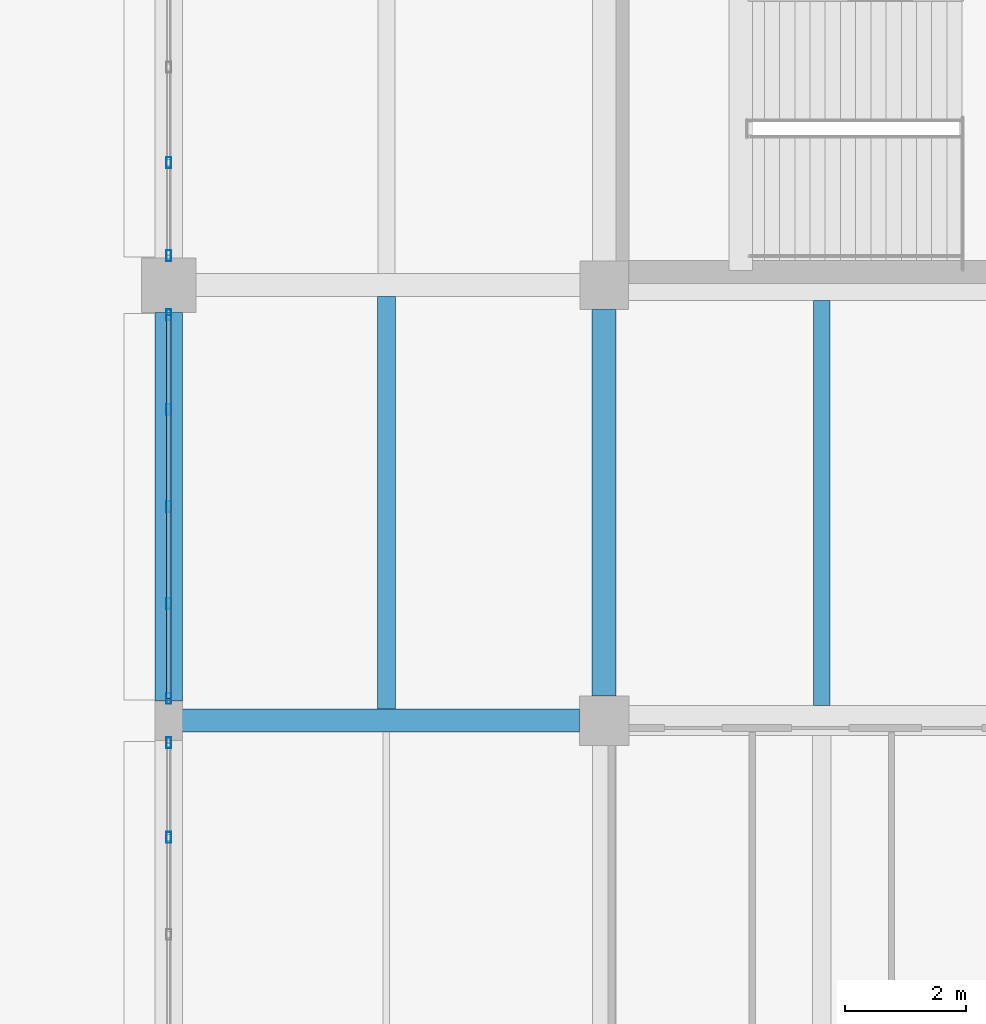
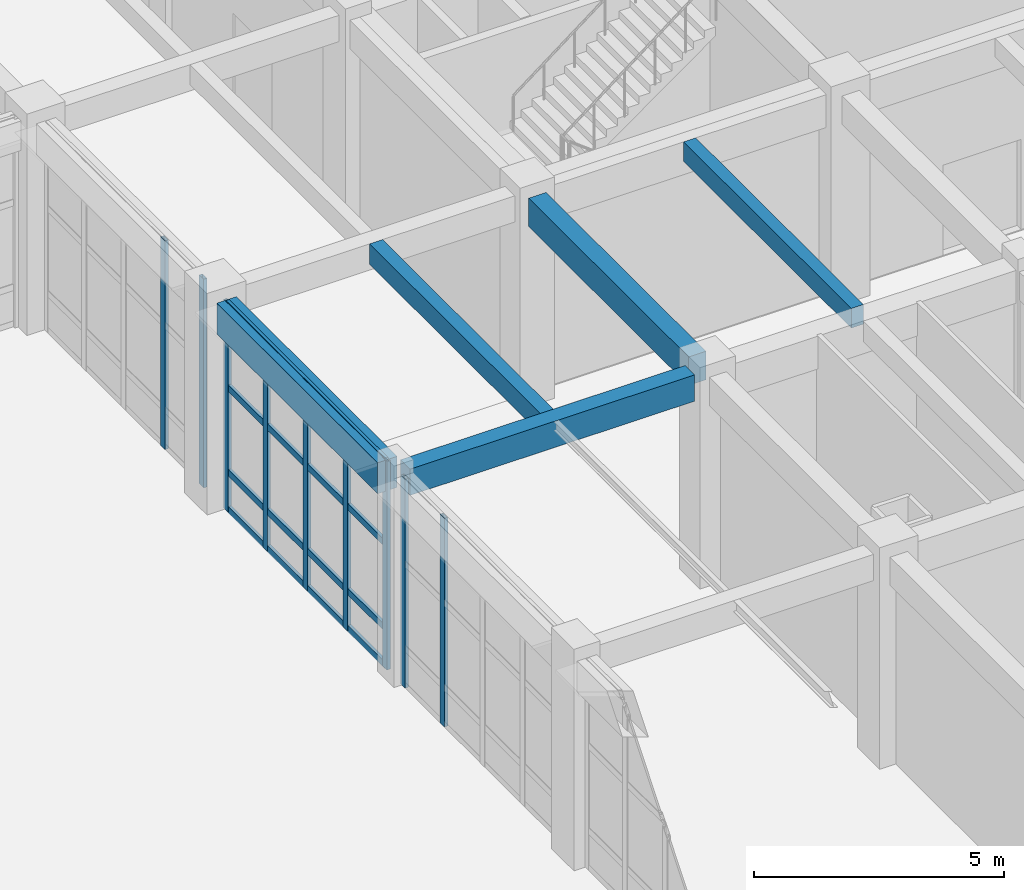
# One storey, part 99 of 160: 13 members, 5 beams, 3 elements without a shape of their own.
"""IFC4 building model written with IfcOpenShell, lengths in metres."""

from ifc_helpers import new_model, si_unit, direction, frame, origin, origin_2d, place, context, subcontext, project, spatial, rectangle, hollow_rectangle, extrude, material, material_profile, profile_set, type_object, element, aggregate, save


model = new_model("IFC4")

# Units and contexts
model_context = context("Model", 3, precision=1e-05, world=origin(), true_north=direction((0.0, 1.0)))
body_context = subcontext(model_context, "Body", "Model", "MODEL_VIEW")
ifc_project = project(units=[si_unit("LENGTHUNIT", "METRE"), si_unit("AREAUNIT", "SQUARE_METRE"), si_unit("VOLUMEUNIT", "CUBIC_METRE"), si_unit("PLANEANGLEUNIT", "RADIAN"), si_unit("MASSUNIT", "GRAM", prefix="KILO")], contexts=[model_context])

# Site, building, storey
site_placement = place(None, origin())
site = spatial("IfcSite", under=ifc_project, at=site_placement, CompositionType="ELEMENT")
building_placement = place(site_placement, origin())
building = spatial("IfcBuilding", under=site, at=building_placement, Name="Thalmaran Polytechnic", CompositionType="ELEMENT")
storey_placement = place(building_placement, origin())
storey = spatial("IfcBuildingStorey", under=building, at=storey_placement, Name="L00", CompositionType="ELEMENT", Elevation=0.0)

# Beams
ifc_material_1 = material(Name="Concrete C40/50", Category="concrete")
ifc_material_profile_1 = material_profile(ifc_material_1, rectangle(XDim=0.300048828125, YDim=0.5, at=origin_2d()), Name="RC 300x500")
ifc_profile_set_1 = profile_set([ifc_material_profile_1], Name="Concrete C40/50")
beam_type_1 = type_object("IfcBeamType", Name="BM-RC11", PredefinedType="JOIST", material=ifc_profile_set_1)
beam_1_placement = place(storey_placement, frame((133.199951171875, 79.389892578125, 4.840087890625), z_axis=(0.0, 1.0, 0.0), x_axis=(-1.0, 0.0, 0.0)))
element("IfcBeam", 1, at=beam_1_placement, inside=storey, type_object=beam_type_1, Name="Secondary Floor Rib RB01 L00 (18,11)", PredefinedType="JOIST", context=body_context, shape_type="SweptSolid", body=[
    extrude(rectangle(XDim=0.300048828125, YDim=0.5, at=origin_2d()), origin(), (0.0, 0.0, 1.0), 6.820068359375),
])
ifc_material_profile_2 = material_profile(ifc_material_1, rectangle(XDim=0.449951171875, YDim=0.7548828125, at=origin_2d()), Name="RC 450x755")
ifc_profile_set_2 = profile_set([ifc_material_profile_2], Name="Concrete C40/50")
beam_type_2 = type_object("IfcBeamType", Name="BM-SP02", PredefinedType="SPANDREL", material=ifc_profile_set_2)
beam_2_placement = place(storey_placement, frame((129.60009765625, 79.52490234375, 4.71240234375), z_axis=(0.0, 1.0, 0.0), x_axis=(-1.0, 0.0, 0.0)))
element("IfcBeam", 2, at=beam_2_placement, inside=storey, type_object=beam_type_2, Name="Grid Beam SP02 L00 Y(18,11)", PredefinedType="SPANDREL", context=body_context, shape_type="SweptSolid", body=[
    extrude(rectangle(XDim=0.449951171875, YDim=0.7548828125, at=origin_2d()), origin(), (0.0, 0.0, 1.0), 6.425048828125),
])
ifc_material_profile_3 = material_profile(ifc_material_1, rectangle(XDim=0.3798828125, YDim=0.639892578125, at=origin_2d()), Name="RC 380x640")
ifc_profile_set_3 = profile_set([ifc_material_profile_3], Name="Concrete C40/50")
beam_type_3 = type_object("IfcBeamType", Name="BM-ZB05", PredefinedType="BEAM", material=ifc_profile_set_3)
beam_3_placement = place(storey_placement, frame((129.824951171875, 79.199951171875, 4.77001953125), z_axis=(1.0, 0.0, 0.0), x_axis=(0.0, 1.0, 0.0)))
element("IfcBeam", 3, at=beam_3_placement, inside=storey, type_object=beam_type_3, Name="Grid Beam ZB05 L00 X(18,11)", PredefinedType="BEAM", context=body_context, shape_type="SweptSolid", body=[
    extrude(rectangle(XDim=0.3798828125, YDim=0.639892578125, at=origin_2d()), origin(), (0.0, 0.0, 1.0), 6.56494140625),
])
ifc_material_profile_4 = material_profile(ifc_material_1, rectangle(XDim=0.39990234375, YDim=0.695068359375, at=origin_2d()), Name="RC 400x695")
ifc_profile_set_4 = profile_set([ifc_material_profile_4], Name="Concrete C40/50")
beam_type_4 = type_object("IfcBeamType", Name="BM-ZB08", PredefinedType="BEAM", material=ifc_profile_set_4)
beam_4_placement = place(storey_placement, frame((136.800048828125, 79.610107421875, 4.742431640625), z_axis=(0.0, 1.0, 0.0), x_axis=(-1.0, 0.0, 0.0)))
element("IfcBeam", 4, at=beam_4_placement, inside=storey, type_object=beam_type_4, Name="Grid Beam ZB08 L00 Y(19,11)", PredefinedType="BEAM", context=body_context, shape_type="SweptSolid", body=[
    extrude(rectangle(XDim=0.39990234375, YDim=0.695068359375, at=origin_2d()), origin(), (0.0, 0.0, 1.0), 6.389892578125),
])
ifc_material_profile_5 = material_profile(ifc_material_1, rectangle(XDim=0.280029296875, YDim=0.47998046875, at=origin_2d()), Name="RC 280x480")
ifc_profile_set_5 = profile_set([ifc_material_profile_5], Name="Concrete C40/50")
beam_type_5 = type_object("IfcBeamType", Name="BM-ZJ01", PredefinedType="JOIST", material=ifc_profile_set_5)
beam_5_placement = place(storey_placement, frame((140.39990234375, 79.449951171875, 4.85009765625), z_axis=(0.0, 1.0, 0.0), x_axis=(-1.0, 0.0, 0.0)))
element("IfcBeam", 5, at=beam_5_placement, inside=storey, type_object=beam_type_5, Name="Secondary Floor Rib ZJ01 L00 (19,11)", PredefinedType="JOIST", context=body_context, shape_type="SweptSolid", body=[
    extrude(rectangle(XDim=0.280029296875, YDim=0.47998046875, at=origin_2d()), origin(), (0.0, 0.0, 1.0), 6.699951171875),
])

# Curtain wall, members
ifc_material_2 = material(Name="Aluminium 6063-T6", Category="aluminium")
curtain_wall_type = type_object("IfcCurtainWallType", Name="CW-UC01", PredefinedType="USERDEFINED", material=ifc_material_2)
curtain_wall_1_placement = place(storey_placement, origin())
curtain_wall_1 = element("IfcCurtainWall", 6, at=curtain_wall_1_placement, inside=storey, type_object=curtain_wall_type, Name="Curtain Wall CW-L00-069", ObjectType="UNITISED CURTAIN WALL", PredefinedType="USERDEFINED")
ifc_material_profile_6 = material_profile(ifc_material_2, hollow_rectangle(XDim=0.080078125, YDim=0.179931640625, WallThickness=0.0048828125, at=origin_2d()), Name="RHS 180x80x5.0")
ifc_profile_set_6 = profile_set([ifc_material_profile_6], Name="Aluminium 6063-T6")
member_type_1 = type_object("IfcMemberType", Name="CW-MUL1", PredefinedType="MULLION", material=ifc_profile_set_6)
member_1_placement = place(storey_placement, frame((129.60009765625, 77.268798828125, 0.0), z_axis=(0.0, 0.0, 1.0), x_axis=(1.0, 0.0, 0.0)))
member_1 = element("IfcMember", 7, at=member_1_placement, type_object=member_type_1, Name="CW-L00-069 Mullion 4", PredefinedType="MULLION", context=body_context, shape_type="SweptSolid", body=[
    extrude(hollow_rectangle(XDim=0.080078125, YDim=0.179931640625, WallThickness=0.0048828125, at=origin_2d()), origin(), (0.0, 0.0, 1.0), 5.090087890625),
])
member_2_placement = place(storey_placement, frame((129.60009765625, 78.8349609375, 0.0), z_axis=(0.0, 0.0, 1.0), x_axis=(1.0, 0.0, 0.0)))
member_2 = element("IfcMember", 8, at=member_2_placement, type_object=member_type_1, Name="CW-L00-069 Mullion 5", PredefinedType="MULLION", context=body_context, shape_type="SweptSolid", body=[
    extrude(hollow_rectangle(XDim=0.080078125, YDim=0.179931640625, WallThickness=0.0048828125, at=origin_2d()), origin(), (0.0, 0.0, 1.0), 5.090087890625),
])
aggregate(curtain_wall_1, [member_1, member_2])

curtain_wall_2_placement = place(storey_placement, origin())
curtain_wall_2 = element("IfcCurtainWall", 9, at=curtain_wall_2_placement, inside=storey, type_object=curtain_wall_type, Name="Curtain Wall CW-L00-070", ObjectType="UNITISED CURTAIN WALL", PredefinedType="USERDEFINED")
member_3_placement = place(storey_placement, frame((129.60009765625, 79.56494140625, 0.0), z_axis=(0.0, 0.0, 1.0), x_axis=(1.0, 0.0, 0.0)))
member_3 = element("IfcMember", 10, at=member_3_placement, type_object=member_type_1, Name="CW-L00-070 Mullion 1", PredefinedType="MULLION", context=body_context, shape_type="SweptSolid", body=[
    extrude(hollow_rectangle(XDim=0.080078125, YDim=0.179931640625, WallThickness=0.0048828125, at=origin_2d()), origin(), (0.0, 0.0, 1.0), 5.090087890625),
])
member_4_placement = place(storey_placement, frame((129.60009765625, 81.13134765625, 0.0), z_axis=(0.0, 0.0, 1.0), x_axis=(1.0, 0.0, 0.0)))
member_4 = element("IfcMember", 11, at=member_4_placement, type_object=member_type_1, Name="CW-L00-070 Mullion 2", PredefinedType="MULLION", context=body_context, shape_type="SweptSolid", body=[
    extrude(hollow_rectangle(XDim=0.080078125, YDim=0.179931640625, WallThickness=0.0048828125, at=origin_2d()), origin(), (0.0, 0.0, 1.0), 5.090087890625),
])
member_5_placement = place(storey_placement, frame((129.60009765625, 82.737548828125, 0.0), z_axis=(0.0, 0.0, 1.0), x_axis=(1.0, 0.0, 0.0)))
member_5 = element("IfcMember", 12, at=member_5_placement, type_object=member_type_1, Name="CW-L00-070 Mullion 3", PredefinedType="MULLION", context=body_context, shape_type="SweptSolid", body=[
    extrude(hollow_rectangle(XDim=0.080078125, YDim=0.179931640625, WallThickness=0.0048828125, at=origin_2d()), origin(), (0.0, 0.0, 1.0), 5.090087890625),
])
member_6_placement = place(storey_placement, frame((129.60009765625, 84.34375, 0.0), z_axis=(0.0, 0.0, 1.0), x_axis=(1.0, 0.0, 0.0)))
member_6 = element("IfcMember", 13, at=member_6_placement, type_object=member_type_1, Name="CW-L00-070 Mullion 4", PredefinedType="MULLION", context=body_context, shape_type="SweptSolid", body=[
    extrude(hollow_rectangle(XDim=0.080078125, YDim=0.179931640625, WallThickness=0.0048828125, at=origin_2d()), origin(), (0.0, 0.0, 1.0), 5.090087890625),
])
member_7_placement = place(storey_placement, frame((129.60009765625, 85.909912109375, 0.0), z_axis=(0.0, 0.0, 1.0), x_axis=(1.0, 0.0, 0.0)))
member_7 = element("IfcMember", 14, at=member_7_placement, type_object=member_type_1, Name="CW-L00-070 Mullion 5", PredefinedType="MULLION", context=body_context, shape_type="SweptSolid", body=[
    extrude(hollow_rectangle(XDim=0.080078125, YDim=0.179931640625, WallThickness=0.0048828125, at=origin_2d()), origin(), (0.0, 0.0, 1.0), 5.090087890625),
])

curtain_wall_3_placement = place(storey_placement, origin())
curtain_wall_3 = element("IfcCurtainWall", 15, at=curtain_wall_3_placement, inside=storey, type_object=curtain_wall_type, Name="Curtain Wall CW-L00-071", ObjectType="UNITISED CURTAIN WALL", PredefinedType="USERDEFINED")
member_8_placement = place(storey_placement, frame((129.60009765625, 86.889892578125, 0.0), z_axis=(0.0, 0.0, 1.0), x_axis=(1.0, 0.0, 0.0)))
member_8 = element("IfcMember", 16, at=member_8_placement, type_object=member_type_1, Name="CW-L00-071 Mullion 1", PredefinedType="MULLION", context=body_context, shape_type="SweptSolid", body=[
    extrude(hollow_rectangle(XDim=0.080078125, YDim=0.179931640625, WallThickness=0.0048828125, at=origin_2d()), origin(), (0.0, 0.0, 1.0), 5.090087890625),
])
member_9_placement = place(storey_placement, frame((129.60009765625, 88.427490234375, 0.0), z_axis=(0.0, 0.0, 1.0), x_axis=(1.0, 0.0, 0.0)))
member_9 = element("IfcMember", 17, at=member_9_placement, type_object=member_type_1, Name="CW-L00-071 Mullion 2", PredefinedType="MULLION", context=body_context, shape_type="SweptSolid", body=[
    extrude(hollow_rectangle(XDim=0.080078125, YDim=0.179931640625, WallThickness=0.0048828125, at=origin_2d()), origin(), (0.0, 0.0, 1.0), 5.090087890625),
])
aggregate(curtain_wall_3, [member_8, member_9])

# Member
ifc_material_profile_7 = material_profile(ifc_material_2, hollow_rectangle(XDim=0.070068359375, YDim=0.159912109375, WallThickness=0.00390625, at=origin_2d()), Name="AL 160x70x4.0")
ifc_profile_set_7 = profile_set([ifc_material_profile_7], Name="Aluminium 6063-T6")
member_type_2 = type_object("IfcMemberType", Name="CW-TRN1", PredefinedType="USERDEFINED", material=ifc_profile_set_7)
member_10_placement = place(storey_placement, frame((129.60009765625, 79.56494140625, 0.06005859375), z_axis=(0.0, 1.0, 0.0), x_axis=(-1.0, 0.0, 0.0)))
member_10 = element("IfcMember", 18, at=member_10_placement, type_object=member_type_2, Name="CW-L00-070 Transom 1", ObjectType="TRANSOM", PredefinedType="USERDEFINED", context=body_context, shape_type="SweptSolid", body=[
    extrude(hollow_rectangle(XDim=0.070068359375, YDim=0.159912109375, WallThickness=0.00390625, at=origin_2d()), origin(), (0.0, 0.0, 1.0), 6.344970703125),
])

member_11_placement = place(storey_placement, frame((129.60009765625, 79.56494140625, 0.9599609375), z_axis=(0.0, 1.0, 0.0), x_axis=(-1.0, 0.0, 0.0)))
member_11 = element("IfcMember", 19, at=member_11_placement, type_object=member_type_2, Name="CW-L00-070 Transom 2", ObjectType="TRANSOM", PredefinedType="USERDEFINED", context=body_context, shape_type="SweptSolid", body=[
    extrude(hollow_rectangle(XDim=0.070068359375, YDim=0.159912109375, WallThickness=0.00390625, at=origin_2d()), origin(), (0.0, 0.0, 1.0), 6.344970703125),
])

member_12_placement = place(storey_placement, frame((129.60009765625, 79.56494140625, 3.02490234375), z_axis=(0.0, 1.0, 0.0), x_axis=(-1.0, 0.0, 0.0)))
member_12 = element("IfcMember", 20, at=member_12_placement, type_object=member_type_2, Name="CW-L00-070 Transom 3", ObjectType="TRANSOM", PredefinedType="USERDEFINED", context=body_context, shape_type="SweptSolid", body=[
    extrude(hollow_rectangle(XDim=0.070068359375, YDim=0.159912109375, WallThickness=0.00390625, at=origin_2d()), origin(), (0.0, 0.0, 1.0), 6.344970703125),
])

member_13_placement = place(storey_placement, frame((129.60009765625, 79.56494140625, 5.030029296875), z_axis=(0.0, 1.0, 0.0), x_axis=(-1.0, 0.0, 0.0)))
member_13 = element("IfcMember", 21, at=member_13_placement, type_object=member_type_2, Name="CW-L00-070 Transom 4", ObjectType="TRANSOM", PredefinedType="USERDEFINED", context=body_context, shape_type="SweptSolid", body=[
    extrude(hollow_rectangle(XDim=0.070068359375, YDim=0.159912109375, WallThickness=0.00390625, at=origin_2d()), origin(), (0.0, 0.0, 1.0), 6.344970703125),
])

aggregate(curtain_wall_2, [member_3, member_4, member_5, member_6, member_7, member_10, member_11, member_12, member_13])

save(model, "model.ifc")
